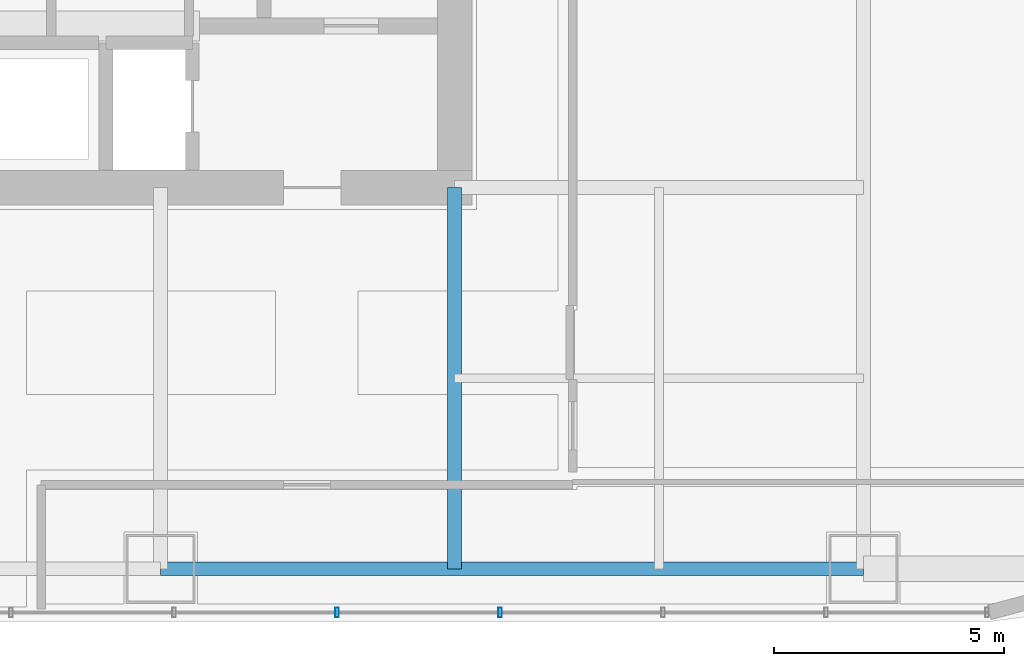
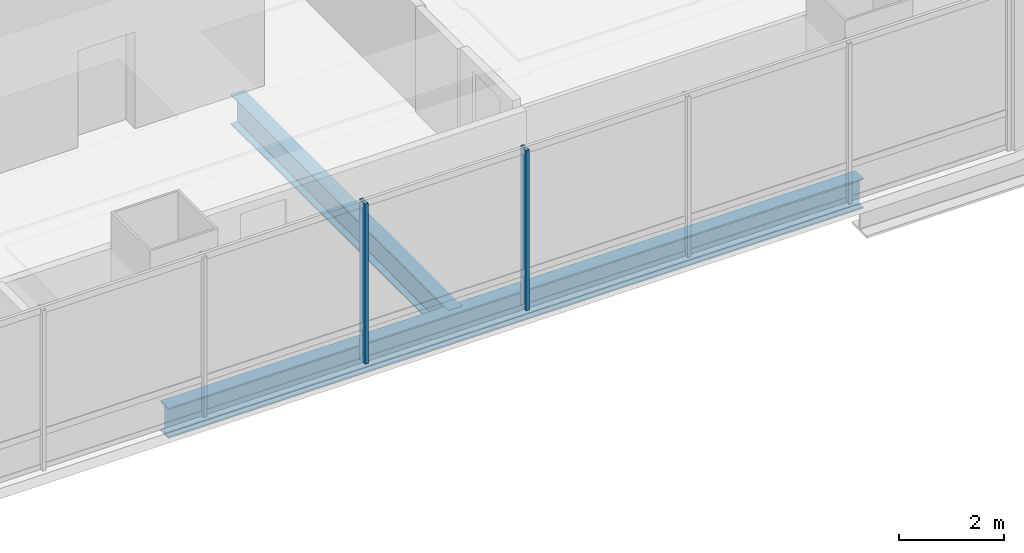
# One storey, part 7 of 33: 2 beams, 2 members, 1 element without a shape of its own.
"""IFC4 building model written with IfcOpenShell, lengths in metres."""

from ifc_helpers import new_model, si_unit, direction, frame, origin, origin_2d, place, context, subcontext, project, spatial, hollow_rectangle, i_section, extrude, material, material_profile, profile_set, type_object, element, aggregate, save


model = new_model("IFC4")

# Units and contexts
model_context = context("Model", 3, precision=1e-05, world=origin(), true_north=direction((0.0, 1.0)))
body_context = subcontext(model_context, "Body", "Model", "MODEL_VIEW")
ifc_project = project(units=[si_unit("LENGTHUNIT", "METRE"), si_unit("AREAUNIT", "SQUARE_METRE"), si_unit("VOLUMEUNIT", "CUBIC_METRE"), si_unit("PLANEANGLEUNIT", "RADIAN"), si_unit("MASSUNIT", "GRAM", prefix="KILO")], contexts=[model_context])

# Site, building, storey
site_placement = place(None, origin())
site = spatial("IfcSite", under=ifc_project, at=site_placement, CompositionType="ELEMENT")
building_placement = place(site_placement, origin())
building = spatial("IfcBuilding", under=site, at=building_placement, Name="Punatoya Terracotta Tower", CompositionType="ELEMENT")
storey_placement = place(building_placement, frame((0.0, 0.0, 121.35009765625)))
storey = spatial("IfcBuildingStorey", under=building, at=storey_placement, Name="L28", CompositionType="ELEMENT", Elevation=121.35009765625)

# Beams
ifc_material_1 = material(Name="Steel S355", Category="steel")
ifc_material_profile_1 = material_profile(ifc_material_1, i_section(OverallWidth=0.300048828125, OverallDepth=0.699951171875, WebThickness=0.01708984375, FlangeThickness=0.031982421875, FilletRadius=0.01806640625, at=origin_2d()))
ifc_profile_set_1 = profile_set([ifc_material_profile_1], Name="Steel S355")
beam_type = type_object("IfcBeamType", Name="BM-PRI-700", PredefinedType="BEAM", material=ifc_profile_set_1)
beam_1_placement = place(storey_placement, frame((3.800048828125, -17.5, -0.590087890625), z_axis=(1.0, 0.0, 0.0), x_axis=(0.0, 1.0, 0.0)))
element("IfcBeam", 1, at=beam_1_placement, inside=storey, type_object=beam_type, Name="BM-L28-RG-S3", PredefinedType="BEAM", context=body_context, shape_type="SweptSolid", body=[
    extrude(i_section(OverallWidth=0.300048828125, OverallDepth=0.699951171875, WebThickness=0.01708984375, FlangeThickness=0.031982421875, FilletRadius=0.01806640625, at=origin_2d()), origin(), (0.0, 0.0, 1.0), 15.300048828125),
])
beam_2_placement = place(storey_placement, frame((10.199951171875, -17.5, -0.590087890625), z_axis=(0.0, 1.0, 0.0), x_axis=(-1.0, 0.0, 0.0)))
element("IfcBeam", 2, at=beam_2_placement, inside=storey, type_object=beam_type, Name="BM-L28-PR-S4", PredefinedType="BEAM", context=body_context, shape_type="SweptSolid", body=[
    extrude(i_section(OverallWidth=0.300048828125, OverallDepth=0.699951171875, WebThickness=0.01708984375, FlangeThickness=0.031982421875, FilletRadius=0.01806640625, at=origin_2d()), origin(), (0.0, 0.0, 1.0), 8.300048828125),
])

# Curtain wall, members
ifc_material_2 = material(Name="Aluminium 6063-T6 + Double Low-E Glass", Category="aluminium")
curtain_wall_type = type_object("IfcCurtainWallType", Name="CW-M1", PredefinedType="NOTDEFINED", material=ifc_material_2)
curtain_wall_placement = place(storey_placement, origin())
curtain_wall = element("IfcCurtainWall", 3, at=curtain_wall_placement, inside=storey, type_object=curtain_wall_type, Name="L28 Curtain Wall CW-L28-S01-1", PredefinedType="NOTDEFINED")
ifc_material_3 = material(Name="Aluminium 6063-T6", Category="aluminium")
ifc_material_profile_2 = material_profile(ifc_material_3, hollow_rectangle(XDim=0.074951171875, YDim=0.2099609375, WallThickness=0.00439453125, at=origin_2d()))
ifc_profile_set_2 = profile_set([ifc_material_profile_2], Name="Aluminium 6063-T6")
member_type = type_object("IfcMemberType", Name="CW-MUL-M1", PredefinedType="MULLION", material=ifc_profile_set_2)
member_1_placement = place(storey_placement, frame((7.64208984375, -18.449951171875, 0.0), z_axis=(0.0, 0.0, 1.0), x_axis=(1.0, 0.0, 0.0)))
member_1 = element("IfcMember", 4, at=member_1_placement, type_object=member_type, Name="CW-L28-S01-1 Mullion 06", PredefinedType="MULLION", context=body_context, shape_type="SweptSolid", body=[
    extrude(hollow_rectangle(XDim=0.074951171875, YDim=0.2099609375, WallThickness=0.00439453125, at=origin_2d()), origin(), (0.0, 0.0, 1.0), 3.72998046875),
])
member_2_placement = place(storey_placement, frame((11.19091796875, -18.449951171875, 0.0), z_axis=(0.0, 0.0, 1.0), x_axis=(1.0, 0.0, 0.0)))
member_2 = element("IfcMember", 5, at=member_2_placement, type_object=member_type, Name="CW-L28-S01-1 Mullion 07", PredefinedType="MULLION", context=body_context, shape_type="SweptSolid", body=[
    extrude(hollow_rectangle(XDim=0.074951171875, YDim=0.2099609375, WallThickness=0.00439453125, at=origin_2d()), origin(), (0.0, 0.0, 1.0), 3.72998046875),
])
aggregate(curtain_wall, [member_1, member_2])

save(model, "model.ifc")
